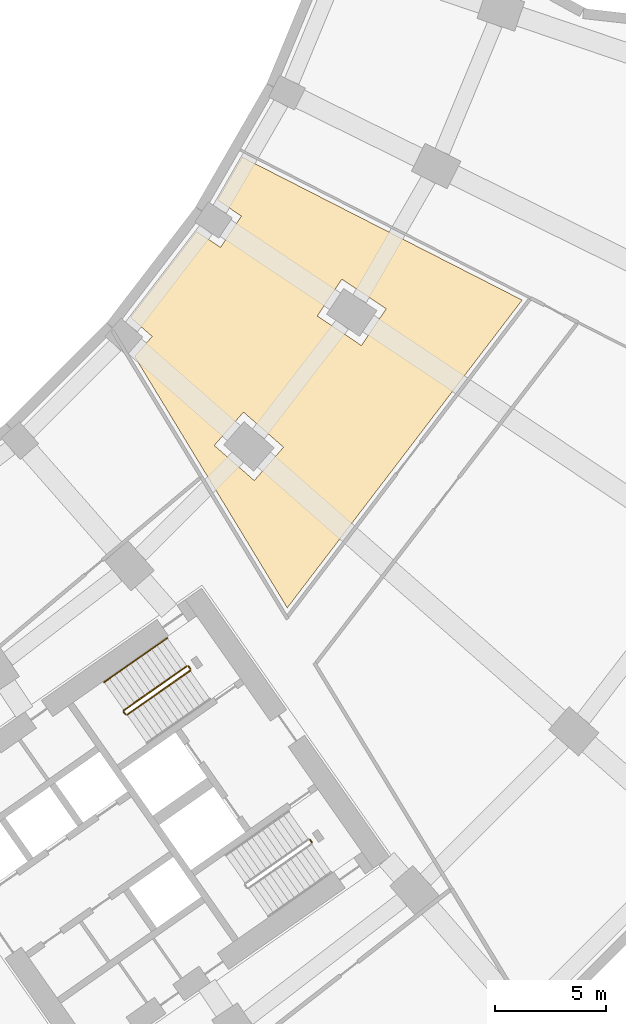
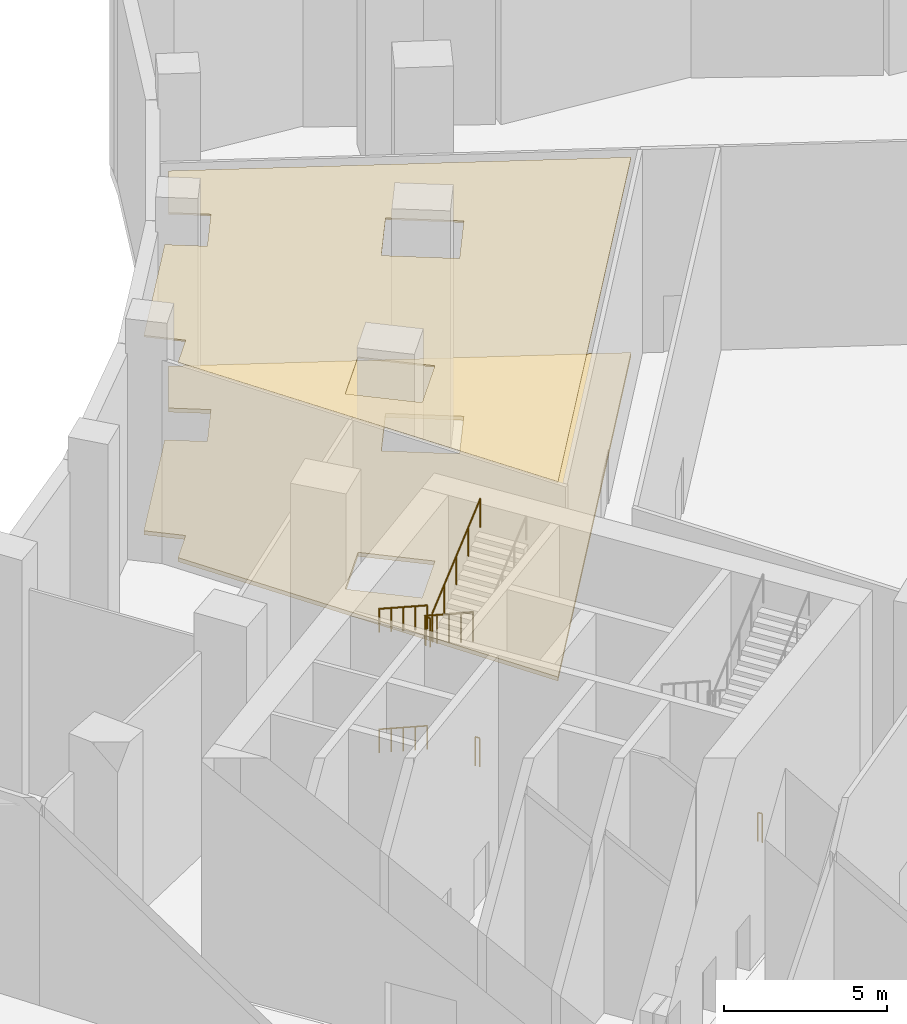
# One storey, part 17 of 17: 6 railings, 2 coverings.
"""IFC4 building model written with IfcOpenShell, lengths in metres."""

from ifc_helpers import new_model, si_unit, direction, frame, origin, origin_2d, place, context, subcontext, project, spatial, polyline, circle, outline, extrude, material, layer, layer_set, type_object, element, save


model = new_model("IFC4")

# Units and contexts
model_context = context("Model", 3, precision=1e-05, world=origin(), true_north=direction((0.0, 1.0)))
body_context = subcontext(model_context, "Body", "Model", "MODEL_VIEW")
ifc_project = project(units=[si_unit("LENGTHUNIT", "METRE"), si_unit("AREAUNIT", "SQUARE_METRE"), si_unit("VOLUMEUNIT", "CUBIC_METRE"), si_unit("PLANEANGLEUNIT", "RADIAN"), si_unit("MASSUNIT", "GRAM", prefix="KILO")], contexts=[model_context])

# Site, building, storey
site_placement = place(None, origin())
site = spatial("IfcSite", under=ifc_project, at=site_placement, CompositionType="ELEMENT")
building_placement = place(site_placement, origin())
building = spatial("IfcBuilding", under=site, at=building_placement, Name="Qamariyya Broadcast Tower", CompositionType="ELEMENT")
storey_placement = place(building_placement, frame((0.0, 0.0, 18.0)))
storey = spatial("IfcBuildingStorey", under=building, at=storey_placement, Name="L02", CompositionType="ELEMENT", Elevation=18.0)

# Covering
ifc_material_1 = material(Name="Raised access floor")
ifc_layer_1 = layer(ifc_material_1, 0.14990234375)
ifc_layer_set_1 = layer_set([ifc_layer_1], Name="Raised access floor 150")
covering_type_1 = type_object("IfcCoveringType", Name="Raised access floor 150", PredefinedType="FLOORING", material=ifc_layer_set_1)
covering_1_placement = place(storey_placement, origin())
element("IfcCovering", 1, at=covering_1_placement, inside=storey, type_object=covering_type_1, Name="Flooring L02-F10", PredefinedType="FLOORING", context=body_context, shape_type="SweptSolid", body=[
    extrude(outline(polyline([(38.63818359375, -34.3525390625), (39.4306640625, -33.44921875), (38.449951171875, -32.589111328125), (41.430419921875, -28.705078125), (42.5146484375, -29.4296875), (43.459228515625, -28.01611328125), (42.374755859375, -27.291748046875), (43.49169921875, -25.357177734375), (56.125, -31.806640625), (45.526611328125, -45.69287109375), (38.63818359375, -34.3525390625)]), holes=[polyline([(48.875244140625, -33.860107421875), (49.986328125, -32.197265625), (47.990966796875, -30.86376953125), (46.8798828125, -32.52685546875), (48.875244140625, -33.860107421875)]), polyline([(44.03759765625, -39.949951171875), (45.356201171875, -38.4462890625), (43.5517578125, -36.86376953125), (42.233154296875, -38.367431640625), (44.03759765625, -39.949951171875)])]), origin(), (0.0, 0.0, 1.0), 0.14990234375),
])

# Railings
ifc_material_2 = material(Name="Painted steel", Category="steel")
railing_type_1 = type_object("IfcRailingType", Name="Stair guard", PredefinedType="GUARDRAIL", material=ifc_material_2)
railing_1_placement = place(storey_placement, frame((41.003173828125, -48.320068359375, 4.673095703125)))
element("IfcRailing", 2, at=railing_1_placement, inside=storey, type_object=railing_type_1, Name="L02 ST-E2 stair guard 3", PredefinedType="GUARDRAIL", context=body_context, shape_type="SweptSolid", body=[
    extrude(circle(Radius=0.02392578125, at=origin_2d()), frame((0.0, 0.0, 1.076171875), z_axis=(-0.703392637411, -0.492543525477, 0.512483827206), x_axis=(0.573594173421, -0.819139624372, 0.0)), (0.0, 0.0, 1.0), 4.052734375),
    extrude(circle(Radius=0.02392578125, at=origin_2d()), frame((-2.8505859375, -1.99609375, 3.15283203125), z_axis=(-0.172799478008, -0.984957024646, 0.0), x_axis=(0.984957024646, -0.172799478008, 0.0)), (0.0, 0.0, 1.0), 0.070556640625),
    extrude(circle(Radius=0.02392578125, at=origin_2d()), frame((-2.86279296875, -2.065673828125, 3.15283203125), z_axis=(0.573353020881, -0.819308436089, 0.0), x_axis=(0.819308436089, 0.573353020881, 0.0)), (0.0, 0.0, 1.0), 0.14990234375),
    extrude(circle(Radius=0.02099609375, at=origin_2d()), origin(), (0.0, 0.0, 1.0), 1.052001953125),
    extrude(circle(Radius=0.02099609375, at=origin_2d()), frame((-0.712646484375, -0.4990234375, 0.519287109375)), (0.0, 0.0, 1.0), 1.052001953125),
    extrude(circle(Radius=0.02099609375, at=origin_2d()), frame((-1.42529296875, -0.998046875, 1.03857421875)), (0.0, 0.0, 1.0), 1.052001953125),
    extrude(circle(Radius=0.02099609375, at=origin_2d()), frame((-2.137939453125, -1.4970703125, 1.5576171875)), (0.0, 0.0, 1.0), 1.052001953125),
    extrude(circle(Radius=0.02099609375, at=origin_2d()), frame((-2.8505859375, -1.99609375, 2.076904296875)), (0.0, 0.0, 1.0), 1.052001953125),
    extrude(circle(Radius=0.02099609375, at=origin_2d()), frame((-2.86279296875, -2.065673828125, 2.076904296875)), (0.0, 0.0, 1.0), 1.052001953125),
    extrude(circle(Radius=0.02099609375, at=origin_2d()), frame((-2.77685546875, -2.1884765625, 2.076904296875)), (0.0, 0.0, 1.0), 1.052001953125),
])
railing_2_placement = place(storey_placement, frame((38.2958984375, -50.52099609375, 6.923095703125)))
element("IfcRailing", 3, at=railing_2_placement, inside=storey, type_object=railing_type_1, Name="L02 ST-E2 stair guard 4", PredefinedType="GUARDRAIL", context=body_context, shape_type="SweptSolid", body=[
    extrude(circle(Radius=0.02392578125, at=origin_2d()), frame((0.0, 0.0, 1.076171875), z_axis=(0.703423072377, 0.49252265477, 0.512462111562), x_axis=(-0.573561211868, 0.819162704376, 0.0)), (0.0, 0.0, 1.0), 4.052734375),
    extrude(circle(Radius=0.02099609375, at=origin_2d()), origin(), (0.0, 0.0, 1.0), 1.052001953125),
    extrude(circle(Radius=0.02099609375, at=origin_2d()), frame((0.712646484375, 0.4990234375, 0.519287109375)), (0.0, 0.0, 1.0), 1.052001953125),
    extrude(circle(Radius=0.02099609375, at=origin_2d()), frame((1.42529296875, 0.998046875, 1.03857421875)), (0.0, 0.0, 1.0), 1.052001953125),
    extrude(circle(Radius=0.02099609375, at=origin_2d()), frame((2.13818359375, 1.4970703125, 1.5576171875)), (0.0, 0.0, 1.0), 1.052001953125),
    extrude(circle(Radius=0.02099609375, at=origin_2d()), frame((2.850830078125, 1.99609375, 2.076904296875)), (0.0, 0.0, 1.0), 1.052001953125),
])
railing_3_placement = place(storey_placement, frame((41.072998046875, -48.332275390625, 0.0)))
element("IfcRailing", 4, at=railing_3_placement, inside=storey, type_object=railing_type_1, Name="L02 ST-E2 stair guard 5", PredefinedType="GUARDRAIL", context=body_context, shape_type="SweptSolid", body=[
    extrude(circle(Radius=0.02392578125, at=origin_2d()), frame((0.0, 0.0, 1.076171875), z_axis=(0.572588637393, -0.819842821722, 0.0), x_axis=(0.819842821722, 0.572588637393, 0.0)), (0.0, 0.0, 1.0), 0.150146484375),
    extrude(circle(Radius=0.02099609375, at=origin_2d()), origin(), (0.0, 0.0, 1.0), 1.052001953125),
    extrude(circle(Radius=0.02099609375, at=origin_2d()), frame((0.0859375, -0.123046875, 0.0)), (0.0, 0.0, 1.0), 1.052001953125),
])
railing_4_placement = place(storey_placement, frame((46.550537109375, -56.1552734375, 0.0)))
element("IfcRailing", 5, at=railing_4_placement, inside=storey, type_object=railing_type_1, Name="L02 ST-E1 stair guard 5", PredefinedType="GUARDRAIL", context=body_context, shape_type="SweptSolid", body=[
    extrude(circle(Radius=0.02392578125, at=origin_2d()), frame((0.0, 0.0, 1.076171875), z_axis=(0.574444878118, -0.818543268254, 0.0), x_axis=(0.818543268254, 0.574444878118, 0.0)), (0.0, 0.0, 1.0), 0.150146484375),
    extrude(circle(Radius=0.02099609375, at=origin_2d()), origin(), (0.0, 0.0, 1.0), 1.052001953125),
    extrude(circle(Radius=0.02099609375, at=origin_2d()), frame((0.086181640625, -0.122802734375, 0.0)), (0.0, 0.0, 1.0), 1.052001953125),
])
ifc_material_3 = material(Name="Stainless steel", Category="steel")
railing_type_2 = type_object("IfcRailingType", Name="Stair handrail", PredefinedType="HANDRAIL", material=ifc_material_3)
for number, where, name in (
    (6, (40.1142578125, -47.05029296875, 0.173095703125), "L02 ST-E2 stair handrail 1"),
    (7, (40.1142578125, -47.05029296875, 4.673095703125), "L02 ST-E2 stair handrail 3"),
):
    element("IfcRailing", number, at=place(storey_placement, frame(where)), inside=storey, type_object=railing_type_2, Name=name, PredefinedType="HANDRAIL", context=body_context, shape_type="SweptSolid", body=[
        extrude(circle(Radius=0.02392578125, at=origin_2d()), frame((0.0, 0.0, 0.8759765625), z_axis=(-0.703392637411, -0.492543525477, 0.512483827206), x_axis=(0.573594173421, -0.819139624372, 0.0)), (0.0, 0.0, 1.0), 4.052734375),
        extrude(circle(Radius=0.02099609375, at=origin_2d()), origin(), (0.0, 0.0, 1.0), 0.851806640625),
        extrude(circle(Radius=0.02099609375, at=origin_2d()), frame((-0.712646484375, -0.4990234375, 0.519287109375)), (0.0, 0.0, 1.0), 0.851806640625),
        extrude(circle(Radius=0.02099609375, at=origin_2d()), frame((-1.42529296875, -0.998046875, 1.03857421875)), (0.0, 0.0, 1.0), 0.851806640625),
        extrude(circle(Radius=0.02099609375, at=origin_2d()), frame((-2.137939453125, -1.4970703125, 1.5576171875)), (0.0, 0.0, 1.0), 0.851806640625),
        extrude(circle(Radius=0.02099609375, at=origin_2d()), frame((-2.8505859375, -1.99609375, 2.076904296875)), (0.0, 0.0, 1.0), 0.851806640625),
    ])

# Covering
ifc_material_4 = material(Name="Perforated plasterboard ceiling")
ifc_layer_2 = layer(ifc_material_4, 0.06005859375)
ifc_layer_set_2 = layer_set([ifc_layer_2], Name="Suspended acoustic ceiling 60")
covering_type_2 = type_object("IfcCoveringType", Name="Suspended acoustic ceiling 60", PredefinedType="CEILING", material=ifc_layer_set_2)
covering_2_placement = place(storey_placement, frame((0.0, 0.0, 7.389892578125)))
element("IfcCovering", 8, at=covering_2_placement, inside=storey, type_object=covering_type_2, Name="Ceiling L02-C10", PredefinedType="CEILING", context=body_context, shape_type="SweptSolid", body=[
    extrude(outline(polyline([(38.63818359375, -34.3525390625), (39.4306640625, -33.44921875), (38.449951171875, -32.589111328125), (41.430419921875, -28.705078125), (42.5146484375, -29.4296875), (43.459228515625, -28.01611328125), (42.374755859375, -27.291748046875), (43.49169921875, -25.357177734375), (56.125, -31.806640625), (45.526611328125, -45.69287109375), (38.63818359375, -34.3525390625)]), holes=[polyline([(48.875244140625, -33.860107421875), (49.986328125, -32.197265625), (47.990966796875, -30.86376953125), (46.8798828125, -32.52685546875), (48.875244140625, -33.860107421875)]), polyline([(44.03759765625, -39.949951171875), (45.356201171875, -38.4462890625), (43.5517578125, -36.86376953125), (42.233154296875, -38.367431640625), (44.03759765625, -39.949951171875)])]), origin(), (0.0, 0.0, 1.0), 0.06005859375),
])

save(model, "model.ifc")
